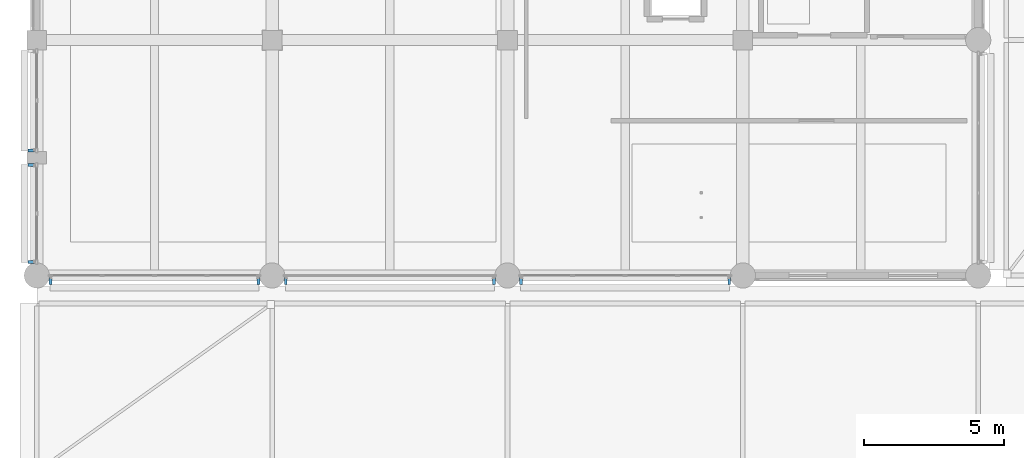
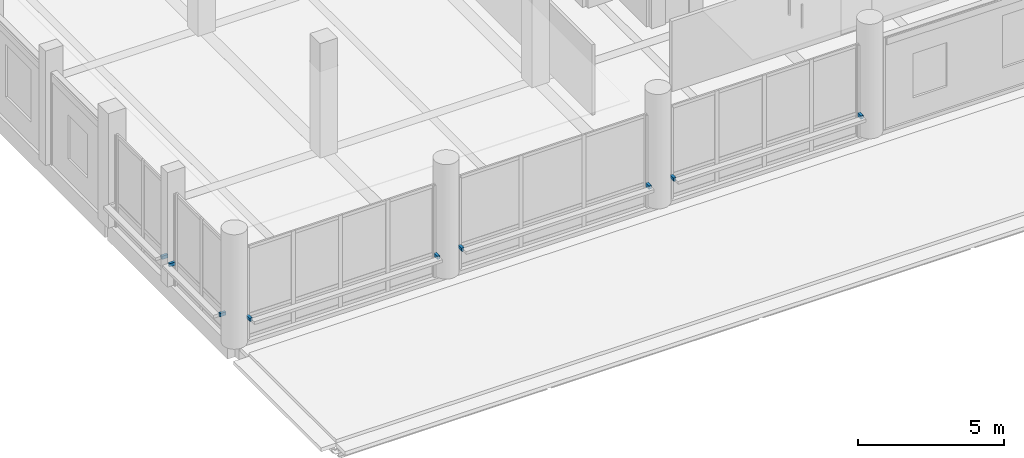
# One storey, part 68 of 128: 9 discrete accessories.
"""IFC4 building model written with IfcOpenShell, lengths in metres."""

from ifc_helpers import new_model, si_unit, direction, frame, origin, origin_2d, place, context, subcontext, project, spatial, rectangle, extrude, material, type_object, element, save


model = new_model("IFC4")

# Units and contexts
model_context = context("Model", 3, precision=1e-05, world=origin(), true_north=direction((0.0, 1.0)))
body_context = subcontext(model_context, "Body", "Model", "MODEL_VIEW")
ifc_project = project(units=[si_unit("LENGTHUNIT", "METRE"), si_unit("AREAUNIT", "SQUARE_METRE"), si_unit("VOLUMEUNIT", "CUBIC_METRE"), si_unit("PLANEANGLEUNIT", "RADIAN"), si_unit("MASSUNIT", "GRAM", prefix="KILO")], contexts=[model_context])

# Site, building, storey
site_placement = place(None, origin())
site = spatial("IfcSite", under=ifc_project, at=site_placement, CompositionType="ELEMENT")
building_placement = place(site_placement, origin())
building = spatial("IfcBuilding", under=site, at=building_placement, Name="Telukmera Botanical Conservatory", CompositionType="ELEMENT")
storey_placement = place(building_placement, frame((0.0, 0.0, 5.39990234375)))
storey = spatial("IfcBuildingStorey", under=building, at=storey_placement, Name="L01", CompositionType="ELEMENT", Elevation=5.39990234375)

# Discrete accessories
ifc_material = material(Name="Steel S355", Category="steel")
discrete_accessory_type = type_object("IfcDiscreteAccessoryType", Name="Structural Steel Facade Outrigger Fin Bracket", PredefinedType="BRACKET", material=ifc_material)
for number, where, z_axis, x_axis, name in (
    (1, (8.884521484375, 17.39990234375, 0.88037109375), (0.0, 0.0, 1.0), (1.0, 0.0, 0.0), "Facade Outrigger Bracket V3:L01:S1 A"),
    (2, (16.3154296875, 17.39990234375, 0.88037109375), (0.0, 0.0, 1.0), (1.0, 0.0, 0.0), "Facade Outrigger Bracket V3:L01:S1 B"),
    (3, (17.284423828125, 17.39990234375, 0.88037109375), (0.0, 0.0, 1.0), (1.0, 0.0, 0.0), "Facade Outrigger Bracket V3:L01:S2 A"),
    (4, (24.715576171875, 17.39990234375, 0.88037109375), (0.0, 0.0, 1.0), (1.0, 0.0, 0.0), "Facade Outrigger Bracket V3:L01:S2 B"),
    (5, (25.6845703125, 17.39990234375, 0.88037109375), (0.0, 0.0, 1.0), (1.0, 0.0, 0.0), "Facade Outrigger Bracket V3:L01:S3 A"),
    (6, (33.115478515625, 17.39990234375, 0.88037109375), (0.0, 0.0, 1.0), (1.0, 0.0, 0.0), "Facade Outrigger Bracket V3:L01:S3 B"),
    (7, (8.199951171875, 18.08447265625, 0.88037109375), (0.0, 0.0, 1.0), (0.0, 1.0, 0.0), "Facade Outrigger Bracket V3:L01:W1A A"),
    (8, (8.199951171875, 21.54052734375, 0.88037109375), (0.0, 0.0, 1.0), (0.0, 1.0, 0.0), "Facade Outrigger Bracket V3:L01:W1A B"),
    (9, (8.199951171875, 22.0595703125, 0.88037109375), (0.0, 0.0, 1.0), (0.0, 1.0, 0.0), "Facade Outrigger Bracket V3:L01:W1B A"),
):
    element("IfcDiscreteAccessory", number, at=place(storey_placement, frame(where, z_axis=z_axis, x_axis=x_axis)), inside=storey, type_object=discrete_accessory_type, Name=name, PredefinedType="BRACKET", context=body_context, shape_type="SweptSolid", body=[
        extrude(rectangle(XDim=0.10009765625, YDim=0.239990234375, at=origin_2d()), origin(), (0.0, 0.0, 1.0), 0.139892578125),
    ])

save(model, "model.ifc")
